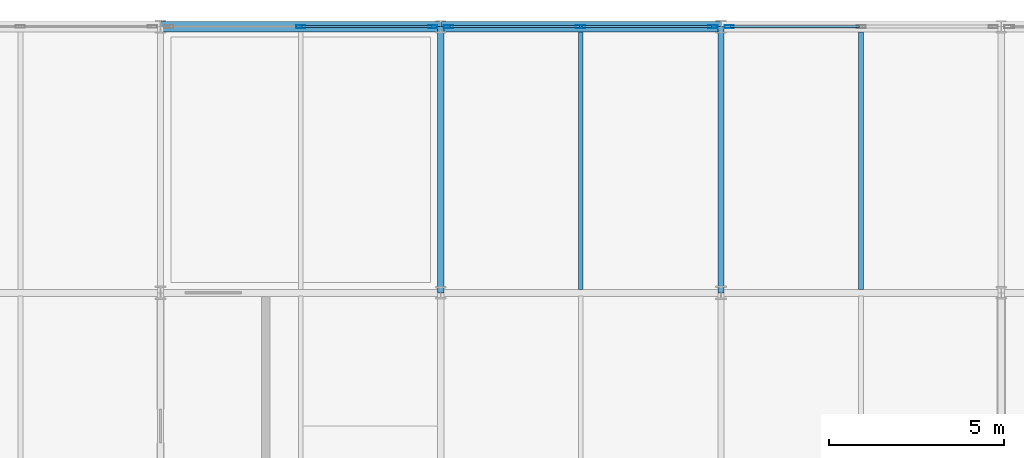
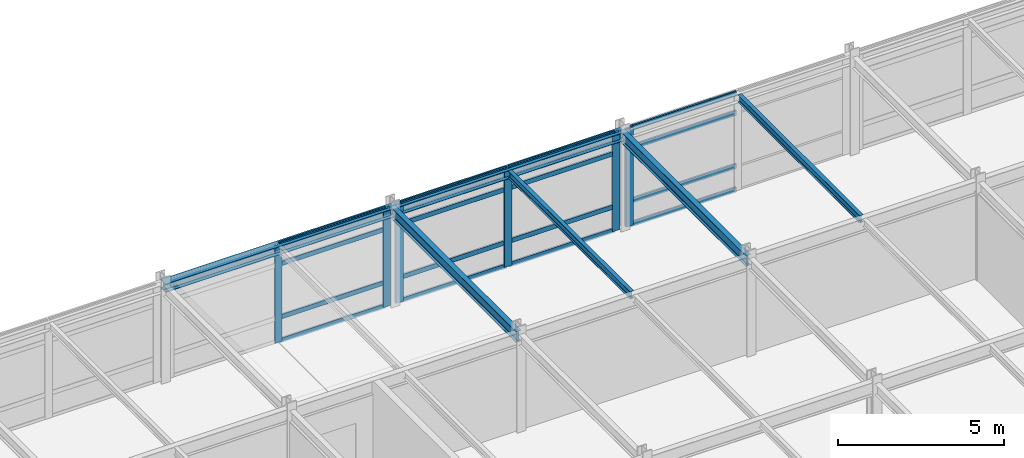
# One storey, part 7 of 15: 22 members, 6 beams, 3 elements without a shape of their own.
"""IFC4 building model written with IfcOpenShell, lengths in metres."""

import ifcopenshell
import ifcopenshell.guid

model = None  # the IFC model being written
_history = None  # IfcOwnerHistory: only IFC2X3 demands one
_inside = {}  # id of a spatial element -> (the spatial element, [elements in it])
_under = {}  # id of a project, library or spatial element -> (it, [spatial elements below it])
_declared = {}  # id of a project -> (the project, [libraries it declares])
_typed = {}  # id of a type object -> (the type object, [elements of that type])
_made_of = {}  # id of a material, layer set ... -> (it, [elements and type objects made of it])


def new_model(schema):
    """Start an empty IFC model of exactly this schema.

    Asked for "IFC4X3", IfcOpenShell would pick the latest addendum, in which some entities
    have other attributes; the version numbers below select the first issue.
    IFC2X3 requires an IfcOwnerHistory on every rooted entity: one is made here for all.
    """
    global model, _history
    if schema == "IFC4X3":
        model = ifcopenshell.file(schema_version=(4, 3, 0, 0))
    else:
        model = ifcopenshell.file(schema=schema)
    _inside.clear()
    _under.clear()
    _declared.clear()
    _typed.clear()
    _made_of.clear()
    _history = None
    if model.schema == "IFC2X3":
        org = make("IfcOrganization", Name="unknown")
        user = make(
            "IfcPersonAndOrganization",
            ThePerson=make("IfcPerson", FamilyName="unknown"),
            TheOrganization=org,
        )
        app = make(
            "IfcApplication",
            ApplicationDeveloper=org,
            Version="unknown",
            ApplicationFullName="unknown",
            ApplicationIdentifier="unknown",
        )
        _history = make(
            "IfcOwnerHistory",
            OwningUser=user,
            OwningApplication=app,
            ChangeAction="ADDED",
            CreationDate=0,
        )
    return model


def make(cls, **values):
    """One entity of the class cls with the attributes given. An attribute that is None is left unset."""
    return model.create_entity(
        cls, **{name: value for name, value in values.items() if value is not None}
    )


def rooted(cls, **values):
    """An entity with a GlobalId (a new one), such as an element, a storey or a relation."""
    return make(cls, GlobalId=ifcopenshell.guid.new(), OwnerHistory=_history, **values)


def si_unit(unit_type, name, prefix=None):
    """IfcSIUnit, for example si_unit("LENGTHUNIT", "METRE", prefix="MILLI")."""
    return make("IfcSIUnit", UnitType=unit_type, Prefix=prefix, Name=name)


def assignment(units):
    """IfcUnitAssignment: the units of a project."""
    return None if units is None else make("IfcUnitAssignment", Units=units)


def point(xyz):
    """IfcCartesianPoint."""
    return None if xyz is None else make("IfcCartesianPoint", Coordinates=xyz)


def direction(xyz):
    """IfcDirection."""
    return None if xyz is None else make("IfcDirection", DirectionRatios=xyz)


def frame(location, z_axis=None, x_axis=None):
    """IfcAxis2Placement3D, a coordinate frame: its origin and axes. An axis left out is left unset."""
    return make(
        "IfcAxis2Placement3D",
        Location=point(location),
        Axis=direction(z_axis),
        RefDirection=direction(x_axis),
    )


def frame_2d(location, x_axis=None):
    """IfcAxis2Placement2D, a coordinate frame in the plane: its origin and x axis."""
    return make(
        "IfcAxis2Placement2D", Location=point(location), RefDirection=direction(x_axis)
    )


def origin():
    """The frame at (0, 0, 0) with its axes left unset."""
    return frame((0.0, 0.0, 0.0))


def origin_2d():
    """The frame at (0, 0) in the plane with its x axis left unset."""
    return frame_2d((0.0, 0.0))


def place(relative_to, where):
    """IfcLocalPlacement: puts the frame where relative to a parent placement (None: the world)."""
    return make(
        "IfcLocalPlacement", PlacementRelTo=relative_to, RelativePlacement=where
    )


def context(
    kind, dimensions, precision=None, world=None, true_north=None, identifier=None
):
    """IfcGeometricRepresentationContext, for example the 3D "Model" context."""
    return make(
        "IfcGeometricRepresentationContext",
        ContextIdentifier=identifier,
        ContextType=kind,
        CoordinateSpaceDimension=dimensions,
        Precision=precision,
        WorldCoordinateSystem=world,
        TrueNorth=true_north,
    )


def subcontext(parent, identifier, kind, view, scale=None):
    """IfcGeometricRepresentationSubContext, for example "Body" below "Model"."""
    return make(
        "IfcGeometricRepresentationSubContext",
        ContextIdentifier=identifier,
        ContextType=kind,
        ParentContext=parent,
        TargetScale=scale,
        TargetView=view,
    )


def project(units=None, contexts=None):
    """IfcProject with its units and contexts."""
    return rooted(
        "IfcProject",
        Name="project",
        RepresentationContexts=contexts,
        UnitsInContext=assignment(units),
    )


def spatial(cls, under=None, at=None, **own):
    """A site, building, storey or space (cls), placed at a placement, below another one or the project."""
    s = rooted(cls, ObjectPlacement=at, **own)
    if under is not None:
        _under.setdefault(under.id(), (under, []))[1].append(s)
    return s


def profile(cls, at=None, kind="AREA", **sizes):
    """A parametric profile (cls). Its sizes go by their IFC names, for example OverallWidth=200.0."""
    return make(cls, ProfileType=kind, Position=at, **sizes)


def hollow_rectangle(**sizes):
    """IfcRectangleHollowProfileDef."""
    return profile("IfcRectangleHollowProfileDef", **sizes)


def i_section(**sizes):
    """IfcIShapeProfileDef."""
    return profile("IfcIShapeProfileDef", **sizes)


def extrude(swept, where, along, depth):
    """IfcExtrudedAreaSolid: the profile swept, set in the frame where, extruded along a direction by depth."""
    return make(
        "IfcExtrudedAreaSolid",
        SweptArea=swept,
        Position=where,
        ExtrudedDirection=direction(along),
        Depth=depth,
    )


def shape(context_of_items, identifier, shape_type, items):
    """IfcShapeRepresentation: the items that make up one representation, for example the "Body"."""
    return make(
        "IfcShapeRepresentation",
        ContextOfItems=context_of_items,
        RepresentationIdentifier=identifier,
        RepresentationType=shape_type,
        Items=items,
    )


def material(Name=None, Category=None):
    """IfcMaterial."""
    return make("IfcMaterial", Name=Name, Category=Category)


def layer(
    of_material, thickness, ventilated=None, Name=None, Category=None, Priority=None
):
    """IfcMaterialLayer: one layer of a wall or slab, of a material (None: an air gap)."""
    return make(
        "IfcMaterialLayer",
        Material=of_material,
        LayerThickness=thickness,
        IsVentilated=ventilated,
        Name=Name,
        Category=Category,
        Priority=Priority,
    )


def layer_set(layers, Name=None):
    """IfcMaterialLayerSet."""
    return make("IfcMaterialLayerSet", MaterialLayers=layers, LayerSetName=Name)


def material_profile(
    of_material, cross_section, Name=None, Category=None, Priority=None
):
    """IfcMaterialProfile: a cross section and its material."""
    return make(
        "IfcMaterialProfile",
        Name=Name,
        Material=of_material,
        Profile=cross_section,
        Priority=Priority,
        Category=Category,
    )


def profile_set(profiles, Name=None, composite=None):
    """IfcMaterialProfileSet."""
    return make(
        "IfcMaterialProfileSet",
        Name=Name,
        MaterialProfiles=profiles,
        CompositeProfile=composite,
    )


def made_of(thing, what):
    """Note that an element or type object is made of a material, layer set ...; save() writes the relation."""
    if what is not None:
        _made_of.setdefault(what.id(), (what, []))[1].append(thing)
    return thing


def type_object(cls, material=None, **own):
    """A type object (cls), such as IfcWallType, which elements share."""
    return made_of(rooted(cls, **own), material)


def element(
    cls,
    number,
    at=None,
    inside=None,
    cuts=None,
    type_object=None,
    material=None,
    context=None,
    identifier="Body",
    shape_type=None,
    held_by="IfcProductDefinitionShape",
    body=None,
    shapes=None,
    **own,
):
    """One element of the class cls, such as IfcWall. Its Tag is "e" and its number.

    at: its placement. inside: the storey or other place that contains it. cuts: it is an
    opening in that element (IfcRelVoidsElement). A single representation is given by context,
    identifier, shape_type and body (its items); several are given by shapes. held_by: the class
    of the entity that holds the representations. save() writes the other relations.
    """
    e = rooted(cls, Tag="e%d" % number, ObjectPlacement=at, **own)
    if body is not None:
        shapes = [shape(context, identifier, shape_type, body)]
    if shapes is not None:
        e.Representation = make(held_by, Representations=shapes)
    if inside is not None:
        _inside.setdefault(inside.id(), (inside, []))[1].append(e)
    if cuts is not None:
        rooted(
            "IfcRelVoidsElement", RelatingBuildingElement=cuts, RelatedOpeningElement=e
        )
    if type_object is not None:
        _typed.setdefault(type_object.id(), (type_object, []))[1].append(e)
    return made_of(e, material)


def aggregate(whole, parts):
    """IfcRelAggregates: a whole, such as a stair, and the parts it consists of."""
    return rooted("IfcRelAggregates", RelatingObject=whole, RelatedObjects=parts)


def save(model, path):
    """Write the relations noted so far, then the file.

    IfcRelAggregates (storeys below a building ...), IfcRelContainedInSpatialStructure (elements
    in a storey), IfcRelDefinesByType, IfcRelAssociatesMaterial and IfcRelDeclares: one each for
    every whole, place, type object, material and project.
    """
    for whole, parts in _under.values():
        aggregate(whole, parts)
    for where, things in _inside.values():
        rooted(
            "IfcRelContainedInSpatialStructure",
            RelatedElements=things,
            RelatingStructure=where,
        )
    for kind, things in _typed.values():
        rooted("IfcRelDefinesByType", RelatedObjects=things, RelatingType=kind)
    for what, things in _made_of.values():
        rooted("IfcRelAssociatesMaterial", RelatedObjects=things, RelatingMaterial=what)
    for by, libraries in _declared.values():
        rooted("IfcRelDeclares", RelatingContext=by, RelatedDefinitions=libraries)
    model.write(path)


model = new_model("IFC4")

# Units and contexts
model_context = context("Model", 3, precision=1e-05, world=origin(), true_north=direction((0.0, 1.0)))
body_context = subcontext(model_context, "Body", "Model", "MODEL_VIEW")
ifc_project = project(units=[si_unit("LENGTHUNIT", "METRE"), si_unit("AREAUNIT", "SQUARE_METRE"), si_unit("VOLUMEUNIT", "CUBIC_METRE"), si_unit("PLANEANGLEUNIT", "RADIAN"), si_unit("MASSUNIT", "GRAM", prefix="KILO")], contexts=[model_context])

# Site, building, storey
site_placement = place(None, origin())
site = spatial("IfcSite", under=ifc_project, at=site_placement, CompositionType="ELEMENT")
building_placement = place(site_placement, origin())
building = spatial("IfcBuilding", under=site, at=building_placement, Name="Shalkamar Park Central Library", CompositionType="ELEMENT")
storey_placement = place(building_placement, frame((0.0, 0.0, 47.699951171875)))
storey = spatial("IfcBuildingStorey", under=building, at=storey_placement, Name="L12", CompositionType="ELEMENT", Elevation=47.699951171875)

# Beams
ifc_material_1 = material(Name="Steel S355", Category="steel")
ifc_material_profile_1 = material_profile(ifc_material_1, i_section(OverallWidth=0.135009765625, OverallDepth=0.27001953125, WebThickness=0.006591796875, FlangeThickness=0.01025390625, FilletRadius=0.014892578125, at=origin_2d()), Name="IPE 270")
ifc_profile_set_1 = profile_set([ifc_material_profile_1], Name="Steel S355")
beam_type_1 = type_object("IfcBeamType", Name="Composite Floor Joist IPE270", PredefinedType="JOIST", material=ifc_profile_set_1)
for number, where, z_axis, x_axis, name in (
    (1, (193.0, 278.097900390625, 3.47509765625), (0.0, 1.0, 0.0), (-1.0, 0.0, 0.0), "Composite Joist 10/F-1 (L12)"),
    (2, (201.0, 278.097900390625, 3.47509765625), (0.0, 1.0, 0.0), (-1.0, 0.0, 0.0), "Composite Joist 11/F-1 (L12)"),
):
    element("IfcBeam", number, at=place(storey_placement, frame(where, z_axis=z_axis, x_axis=x_axis)), inside=storey, type_object=beam_type_1, Name=name, PredefinedType="JOIST", context=body_context, shape_type="SweptSolid", body=[
        extrude(i_section(OverallWidth=0.135009765625, OverallDepth=0.27001953125, WebThickness=0.006591796875, FlangeThickness=0.01025390625, FilletRadius=0.014892578125, at=origin_2d()), origin(), (0.0, 0.0, 1.0), 7.35400390625),
    ])

# Curtain wall, members
ifc_material_2 = material(Name="Thermally broken aluminium and triple low-e curtain wall", Category="aluminium")
ifc_layer_1 = layer(ifc_material_2, 0.2548828125)
ifc_layer_set_1 = layer_set([ifc_layer_1], Name="UnitisedCurtainWall_85")
curtain_wall_type_1 = type_object("IfcCurtainWallType", Name="Unitised Curtain Wall 85", PredefinedType="USERDEFINED", material=ifc_layer_set_1)
curtain_wall_1_placement = place(storey_placement, origin())
curtain_wall_1 = element("IfcCurtainWall", 3, at=curtain_wall_1_placement, inside=storey, type_object=curtain_wall_type_1, Name="Unitised Curtain Wall CW-L12-137", ObjectType="UNITISED CURTAIN WALL", PredefinedType="USERDEFINED")
ifc_material_3 = material(Name="Aluminium 6060-T66", Category="aluminium")
ifc_material_profile_2 = material_profile(ifc_material_3, hollow_rectangle(XDim=0.080078125, YDim=0.2548828125, WallThickness=0.00439453125, InnerFilletRadius=0.00439453125, OuterFilletRadius=0.0068359375, at=origin_2d()), Name="ALU 80x255x4.5")
ifc_profile_set_2 = profile_set([ifc_material_profile_2], Name="Aluminium 6060-T66")
member_type_1 = type_object("IfcMemberType", Name="Curtain Wall Mullion ALU80x255", PredefinedType="MULLION", material=ifc_profile_set_2)
member_1_placement = place(storey_placement, frame((185.00439453125, 285.60009765625, 0.0), z_axis=(0.0, 0.0, 1.0), x_axis=(0.0, 1.0, 0.0)))
member_1 = element("IfcMember", 4, at=member_1_placement, type_object=member_type_1, Name="CW-85 mullion 2", PredefinedType="MULLION", context=body_context, shape_type="SweptSolid", body=[
    extrude(hollow_rectangle(XDim=0.080078125, YDim=0.2548828125, WallThickness=0.00439453125, InnerFilletRadius=0.00439453125, OuterFilletRadius=0.0068359375, at=origin_2d()), origin(), (0.0, 0.0, 1.0), 3.610107421875),
])
member_2_placement = place(storey_placement, frame((188.776611328125, 285.60009765625, 0.0), z_axis=(0.0, 0.0, 1.0), x_axis=(0.0, 1.0, 0.0)))
member_2 = element("IfcMember", 5, at=member_2_placement, type_object=member_type_1, Name="CW-85 mullion 3", PredefinedType="MULLION", context=body_context, shape_type="SweptSolid", body=[
    extrude(hollow_rectangle(XDim=0.080078125, YDim=0.2548828125, WallThickness=0.00439453125, InnerFilletRadius=0.00439453125, OuterFilletRadius=0.0068359375, at=origin_2d()), origin(), (0.0, 0.0, 1.0), 3.610107421875),
])

ifc_layer_2 = layer(ifc_material_2, 0.27001953125)
ifc_layer_set_2 = layer_set([ifc_layer_2], Name="UnitisedCurtainWall_86")
curtain_wall_type_2 = type_object("IfcCurtainWallType", Name="Unitised Curtain Wall 86", PredefinedType="USERDEFINED", material=ifc_layer_set_2)
curtain_wall_2_placement = place(storey_placement, origin())
curtain_wall_2 = element("IfcCurtainWall", 6, at=curtain_wall_2_placement, inside=storey, type_object=curtain_wall_type_2, Name="Unitised Curtain Wall CW-L12-138", ObjectType="UNITISED CURTAIN WALL", PredefinedType="USERDEFINED")
ifc_material_profile_3 = material_profile(ifc_material_3, hollow_rectangle(XDim=0.080078125, YDim=0.27001953125, WallThickness=0.0048828125, InnerFilletRadius=0.0048828125, OuterFilletRadius=0.007568359375, at=origin_2d()), Name="ALU 80x270x5")
ifc_profile_set_3 = profile_set([ifc_material_profile_3], Name="Aluminium 6060-T66")
member_type_2 = type_object("IfcMemberType", Name="Curtain Wall Mullion ALU80x270", PredefinedType="MULLION", material=ifc_profile_set_3)
member_3_placement = place(storey_placement, frame((189.223388671875, 285.60009765625, 0.0), z_axis=(0.0, 0.0, 1.0), x_axis=(0.0, 1.0, 0.0)))
member_3 = element("IfcMember", 7, at=member_3_placement, type_object=member_type_2, Name="CW-86 mullion 1", PredefinedType="MULLION", context=body_context, shape_type="SweptSolid", body=[
    extrude(hollow_rectangle(XDim=0.080078125, YDim=0.27001953125, WallThickness=0.0048828125, InnerFilletRadius=0.0048828125, OuterFilletRadius=0.007568359375, at=origin_2d()), origin(), (0.0, 0.0, 1.0), 3.610107421875),
])
member_4_placement = place(storey_placement, frame((192.99560546875, 285.60009765625, 0.0), z_axis=(0.0, 0.0, 1.0), x_axis=(0.0, 1.0, 0.0)))
member_4 = element("IfcMember", 8, at=member_4_placement, type_object=member_type_2, Name="CW-86 mullion 2", PredefinedType="MULLION", context=body_context, shape_type="SweptSolid", body=[
    extrude(hollow_rectangle(XDim=0.080078125, YDim=0.27001953125, WallThickness=0.0048828125, InnerFilletRadius=0.0048828125, OuterFilletRadius=0.007568359375, at=origin_2d()), origin(), (0.0, 0.0, 1.0), 3.610107421875),
])
member_5_placement = place(storey_placement, frame((196.767578125, 285.60009765625, 0.0), z_axis=(0.0, 0.0, 1.0), x_axis=(0.0, 1.0, 0.0)))
member_5 = element("IfcMember", 9, at=member_5_placement, type_object=member_type_2, Name="CW-86 mullion 3", PredefinedType="MULLION", context=body_context, shape_type="SweptSolid", body=[
    extrude(hollow_rectangle(XDim=0.080078125, YDim=0.27001953125, WallThickness=0.0048828125, InnerFilletRadius=0.0048828125, OuterFilletRadius=0.007568359375, at=origin_2d()), origin(), (0.0, 0.0, 1.0), 3.610107421875),
])

# Curtain wall, member
ifc_layer_3 = layer(ifc_material_2, 0.264892578125)
ifc_layer_set_3 = layer_set([ifc_layer_3], Name="UnitisedCurtainWall_87")
curtain_wall_type_3 = type_object("IfcCurtainWallType", Name="Unitised Curtain Wall 87", PredefinedType="USERDEFINED", material=ifc_layer_set_3)
curtain_wall_3_placement = place(storey_placement, origin())
curtain_wall_3 = element("IfcCurtainWall", 10, at=curtain_wall_3_placement, inside=storey, type_object=curtain_wall_type_3, Name="Unitised Curtain Wall CW-L12-139", ObjectType="UNITISED CURTAIN WALL", PredefinedType="USERDEFINED")
ifc_material_profile_4 = material_profile(ifc_material_3, hollow_rectangle(XDim=0.0849609375, YDim=0.264892578125, WallThickness=0.0048828125, InnerFilletRadius=0.0048828125, OuterFilletRadius=0.007568359375, at=origin_2d()), Name="ALU 85x265x5")
ifc_profile_set_4 = profile_set([ifc_material_profile_4], Name="Aluminium 6060-T66")
member_type_3 = type_object("IfcMemberType", Name="Curtain Wall Mullion ALU85x265", PredefinedType="MULLION", material=ifc_profile_set_4)
member_6_placement = place(storey_placement, frame((197.235107421875, 285.60009765625, 0.0), z_axis=(0.0, 0.0, 1.0), x_axis=(0.0, 1.0, 0.0)))
member_6 = element("IfcMember", 11, at=member_6_placement, type_object=member_type_3, Name="CW-87 mullion 1", PredefinedType="MULLION", context=body_context, shape_type="SweptSolid", body=[
    extrude(hollow_rectangle(XDim=0.0849609375, YDim=0.264892578125, WallThickness=0.0048828125, InnerFilletRadius=0.0048828125, OuterFilletRadius=0.007568359375, at=origin_2d()), origin(), (0.0, 0.0, 1.0), 3.610107421875),
])

# Member
ifc_material_profile_5 = material_profile(ifc_material_3, hollow_rectangle(XDim=0.06494140625, YDim=0.169921875, WallThickness=0.00390625, InnerFilletRadius=0.00390625, OuterFilletRadius=0.006103515625, at=origin_2d()), Name="ALU 65x170x4")
ifc_profile_set_5 = profile_set([ifc_material_profile_5], Name="Aluminium 6060-T66")
member_type_4 = type_object("IfcMemberType", Name="Curtain Wall Transom ALU65x170", PredefinedType="USERDEFINED", material=ifc_profile_set_5)
member_7_placement = place(storey_placement, frame((185.04443359375, 285.60009765625, 0.032470703125), z_axis=(1.0, 0.0, 0.0), x_axis=(0.0, 1.0, 0.0)))
member_7 = element("IfcMember", 12, at=member_7_placement, type_object=member_type_4, Name="CW-85 transom 2.1", ObjectType="TRANSOM", PredefinedType="USERDEFINED", context=body_context, shape_type="SweptSolid", body=[
    extrude(hollow_rectangle(XDim=0.06494140625, YDim=0.169921875, WallThickness=0.00390625, InnerFilletRadius=0.00390625, OuterFilletRadius=0.006103515625, at=origin_2d()), origin(), (0.0, 0.0, 1.0), 3.692138671875),
])

member_8_placement = place(storey_placement, frame((185.04443359375, 285.60009765625, 0.900146484375), z_axis=(1.0, 0.0, 0.0), x_axis=(0.0, 1.0, 0.0)))
member_8 = element("IfcMember", 13, at=member_8_placement, type_object=member_type_4, Name="CW-85 transom 2.2", ObjectType="TRANSOM", PredefinedType="USERDEFINED", context=body_context, shape_type="SweptSolid", body=[
    extrude(hollow_rectangle(XDim=0.06494140625, YDim=0.169921875, WallThickness=0.00390625, InnerFilletRadius=0.00390625, OuterFilletRadius=0.006103515625, at=origin_2d()), origin(), (0.0, 0.0, 1.0), 3.692138671875),
])

member_9_placement = place(storey_placement, frame((185.04443359375, 285.60009765625, 2.860107421875), z_axis=(1.0, 0.0, 0.0), x_axis=(0.0, 1.0, 0.0)))
member_9 = element("IfcMember", 14, at=member_9_placement, type_object=member_type_4, Name="CW-85 transom 2.3", ObjectType="TRANSOM", PredefinedType="USERDEFINED", context=body_context, shape_type="SweptSolid", body=[
    extrude(hollow_rectangle(XDim=0.06494140625, YDim=0.169921875, WallThickness=0.00390625, InnerFilletRadius=0.00390625, OuterFilletRadius=0.006103515625, at=origin_2d()), origin(), (0.0, 0.0, 1.0), 3.692138671875),
])

member_10_placement = place(storey_placement, frame((185.04443359375, 285.60009765625, 3.57763671875), z_axis=(1.0, 0.0, 0.0), x_axis=(0.0, 1.0, 0.0)))
member_10 = element("IfcMember", 15, at=member_10_placement, type_object=member_type_4, Name="CW-85 transom 2.4", ObjectType="TRANSOM", PredefinedType="USERDEFINED", context=body_context, shape_type="SweptSolid", body=[
    extrude(hollow_rectangle(XDim=0.06494140625, YDim=0.169921875, WallThickness=0.00390625, InnerFilletRadius=0.00390625, OuterFilletRadius=0.006103515625, at=origin_2d()), origin(), (0.0, 0.0, 1.0), 3.692138671875),
])

aggregate(curtain_wall_1, [member_1, member_2, member_7, member_8, member_9, member_10])

ifc_material_profile_6 = material_profile(ifc_material_3, hollow_rectangle(XDim=0.06494140625, YDim=0.175048828125, WallThickness=0.00439453125, InnerFilletRadius=0.00439453125, OuterFilletRadius=0.0068359375, at=origin_2d()), Name="ALU 65x175x4.5")
ifc_profile_set_6 = profile_set([ifc_material_profile_6], Name="Aluminium 6060-T66")
member_type_5 = type_object("IfcMemberType", Name="Curtain Wall Transom ALU65x175", PredefinedType="USERDEFINED", material=ifc_profile_set_6)
member_11_placement = place(storey_placement, frame((189.263427734375, 285.60009765625, 0.032470703125), z_axis=(1.0, 0.0, 0.0), x_axis=(0.0, 1.0, 0.0)))
member_11 = element("IfcMember", 16, at=member_11_placement, type_object=member_type_5, Name="CW-86 transom 1.1", ObjectType="TRANSOM", PredefinedType="USERDEFINED", context=body_context, shape_type="SweptSolid", body=[
    extrude(hollow_rectangle(XDim=0.06494140625, YDim=0.175048828125, WallThickness=0.00439453125, InnerFilletRadius=0.00439453125, OuterFilletRadius=0.0068359375, at=origin_2d()), origin(), (0.0, 0.0, 1.0), 3.692138671875),
])

member_12_placement = place(storey_placement, frame((189.263427734375, 285.60009765625, 0.900146484375), z_axis=(1.0, 0.0, 0.0), x_axis=(0.0, 1.0, 0.0)))
member_12 = element("IfcMember", 17, at=member_12_placement, type_object=member_type_5, Name="CW-86 transom 1.2", ObjectType="TRANSOM", PredefinedType="USERDEFINED", context=body_context, shape_type="SweptSolid", body=[
    extrude(hollow_rectangle(XDim=0.06494140625, YDim=0.175048828125, WallThickness=0.00439453125, InnerFilletRadius=0.00439453125, OuterFilletRadius=0.0068359375, at=origin_2d()), origin(), (0.0, 0.0, 1.0), 3.692138671875),
])

member_13_placement = place(storey_placement, frame((189.263427734375, 285.60009765625, 2.860107421875), z_axis=(1.0, 0.0, 0.0), x_axis=(0.0, 1.0, 0.0)))
member_13 = element("IfcMember", 18, at=member_13_placement, type_object=member_type_5, Name="CW-86 transom 1.3", ObjectType="TRANSOM", PredefinedType="USERDEFINED", context=body_context, shape_type="SweptSolid", body=[
    extrude(hollow_rectangle(XDim=0.06494140625, YDim=0.175048828125, WallThickness=0.00439453125, InnerFilletRadius=0.00439453125, OuterFilletRadius=0.0068359375, at=origin_2d()), origin(), (0.0, 0.0, 1.0), 3.692138671875),
])

member_14_placement = place(storey_placement, frame((189.263427734375, 285.60009765625, 3.57763671875), z_axis=(1.0, 0.0, 0.0), x_axis=(0.0, 1.0, 0.0)))
member_14 = element("IfcMember", 19, at=member_14_placement, type_object=member_type_5, Name="CW-86 transom 1.4", ObjectType="TRANSOM", PredefinedType="USERDEFINED", context=body_context, shape_type="SweptSolid", body=[
    extrude(hollow_rectangle(XDim=0.06494140625, YDim=0.175048828125, WallThickness=0.00439453125, InnerFilletRadius=0.00439453125, OuterFilletRadius=0.0068359375, at=origin_2d()), origin(), (0.0, 0.0, 1.0), 3.692138671875),
])

member_15_placement = place(storey_placement, frame((193.035400390625, 285.60009765625, 0.032470703125), z_axis=(1.0, 0.0, 0.0), x_axis=(0.0, 1.0, 0.0)))
member_15 = element("IfcMember", 20, at=member_15_placement, type_object=member_type_5, Name="CW-86 transom 2.1", ObjectType="TRANSOM", PredefinedType="USERDEFINED", context=body_context, shape_type="SweptSolid", body=[
    extrude(hollow_rectangle(XDim=0.06494140625, YDim=0.175048828125, WallThickness=0.00439453125, InnerFilletRadius=0.00439453125, OuterFilletRadius=0.0068359375, at=origin_2d()), origin(), (0.0, 0.0, 1.0), 3.692138671875),
])

member_16_placement = place(storey_placement, frame((193.035400390625, 285.60009765625, 0.900146484375), z_axis=(1.0, 0.0, 0.0), x_axis=(0.0, 1.0, 0.0)))
member_16 = element("IfcMember", 21, at=member_16_placement, type_object=member_type_5, Name="CW-86 transom 2.2", ObjectType="TRANSOM", PredefinedType="USERDEFINED", context=body_context, shape_type="SweptSolid", body=[
    extrude(hollow_rectangle(XDim=0.06494140625, YDim=0.175048828125, WallThickness=0.00439453125, InnerFilletRadius=0.00439453125, OuterFilletRadius=0.0068359375, at=origin_2d()), origin(), (0.0, 0.0, 1.0), 3.692138671875),
])

member_17_placement = place(storey_placement, frame((193.035400390625, 285.60009765625, 2.860107421875), z_axis=(1.0, 0.0, 0.0), x_axis=(0.0, 1.0, 0.0)))
member_17 = element("IfcMember", 22, at=member_17_placement, type_object=member_type_5, Name="CW-86 transom 2.3", ObjectType="TRANSOM", PredefinedType="USERDEFINED", context=body_context, shape_type="SweptSolid", body=[
    extrude(hollow_rectangle(XDim=0.06494140625, YDim=0.175048828125, WallThickness=0.00439453125, InnerFilletRadius=0.00439453125, OuterFilletRadius=0.0068359375, at=origin_2d()), origin(), (0.0, 0.0, 1.0), 3.692138671875),
])

member_18_placement = place(storey_placement, frame((193.035400390625, 285.60009765625, 3.57763671875), z_axis=(1.0, 0.0, 0.0), x_axis=(0.0, 1.0, 0.0)))
member_18 = element("IfcMember", 23, at=member_18_placement, type_object=member_type_5, Name="CW-86 transom 2.4", ObjectType="TRANSOM", PredefinedType="USERDEFINED", context=body_context, shape_type="SweptSolid", body=[
    extrude(hollow_rectangle(XDim=0.06494140625, YDim=0.175048828125, WallThickness=0.00439453125, InnerFilletRadius=0.00439453125, OuterFilletRadius=0.0068359375, at=origin_2d()), origin(), (0.0, 0.0, 1.0), 3.692138671875),
])

aggregate(curtain_wall_2, [member_3, member_4, member_5, member_11, member_12, member_13, member_14, member_15, member_16, member_17, member_18])

ifc_material_profile_7 = material_profile(ifc_material_3, hollow_rectangle(XDim=0.070068359375, YDim=0.179931640625, WallThickness=0.00439453125, InnerFilletRadius=0.00439453125, OuterFilletRadius=0.0068359375, at=origin_2d()), Name="ALU 70x180x4.5")
ifc_profile_set_7 = profile_set([ifc_material_profile_7], Name="Aluminium 6060-T66")
member_type_6 = type_object("IfcMemberType", Name="Curtain Wall Transom ALU70x180", PredefinedType="USERDEFINED", material=ifc_profile_set_7)
member_19_placement = place(storey_placement, frame((197.277587890625, 285.60009765625, 0.03515625), z_axis=(1.0, 0.0, 0.0), x_axis=(0.0, 1.0, 0.0)))
member_19 = element("IfcMember", 24, at=member_19_placement, type_object=member_type_6, Name="CW-87 transom 1.1", ObjectType="TRANSOM", PredefinedType="USERDEFINED", context=body_context, shape_type="SweptSolid", body=[
    extrude(hollow_rectangle(XDim=0.070068359375, YDim=0.179931640625, WallThickness=0.00439453125, InnerFilletRadius=0.00439453125, OuterFilletRadius=0.0068359375, at=origin_2d()), origin(), (0.0, 0.0, 1.0), 3.684326171875),
])

member_20_placement = place(storey_placement, frame((197.277587890625, 285.60009765625, 0.900146484375), z_axis=(1.0, 0.0, 0.0), x_axis=(0.0, 1.0, 0.0)))
member_20 = element("IfcMember", 25, at=member_20_placement, type_object=member_type_6, Name="CW-87 transom 1.2", ObjectType="TRANSOM", PredefinedType="USERDEFINED", context=body_context, shape_type="SweptSolid", body=[
    extrude(hollow_rectangle(XDim=0.070068359375, YDim=0.179931640625, WallThickness=0.00439453125, InnerFilletRadius=0.00439453125, OuterFilletRadius=0.0068359375, at=origin_2d()), origin(), (0.0, 0.0, 1.0), 3.684326171875),
])

member_21_placement = place(storey_placement, frame((197.277587890625, 285.60009765625, 2.860107421875), z_axis=(1.0, 0.0, 0.0), x_axis=(0.0, 1.0, 0.0)))
member_21 = element("IfcMember", 26, at=member_21_placement, type_object=member_type_6, Name="CW-87 transom 1.3", ObjectType="TRANSOM", PredefinedType="USERDEFINED", context=body_context, shape_type="SweptSolid", body=[
    extrude(hollow_rectangle(XDim=0.070068359375, YDim=0.179931640625, WallThickness=0.00439453125, InnerFilletRadius=0.00439453125, OuterFilletRadius=0.0068359375, at=origin_2d()), origin(), (0.0, 0.0, 1.0), 3.684326171875),
])

member_22_placement = place(storey_placement, frame((197.277587890625, 285.60009765625, 3.574951171875), z_axis=(1.0, 0.0, 0.0), x_axis=(0.0, 1.0, 0.0)))
member_22 = element("IfcMember", 27, at=member_22_placement, type_object=member_type_6, Name="CW-87 transom 1.4", ObjectType="TRANSOM", PredefinedType="USERDEFINED", context=body_context, shape_type="SweptSolid", body=[
    extrude(hollow_rectangle(XDim=0.070068359375, YDim=0.179931640625, WallThickness=0.00439453125, InnerFilletRadius=0.00439453125, OuterFilletRadius=0.0068359375, at=origin_2d()), origin(), (0.0, 0.0, 1.0), 3.684326171875),
])

aggregate(curtain_wall_3, [member_6, member_19, member_20, member_21, member_22])

# Beams
ifc_material_profile_8 = material_profile(ifc_material_1, i_section(OverallWidth=0.300048828125, OverallDepth=0.31005859375, WebThickness=0.009033203125, FlangeThickness=0.015380859375, FilletRadius=0.027099609375, at=origin_2d()), Name="HEA 320")
ifc_profile_set_8 = profile_set([ifc_material_profile_8], Name="Steel S355")
beam_type_2 = type_object("IfcBeamType", Name="Perimeter Spandrel Beam HEA320", PredefinedType="SPANDREL", material=ifc_profile_set_8)
for number, where, z_axis, x_axis, name in (
    (28, (181.0, 285.60009765625, 3.455078125), (1.0, 0.0, 0.0), (0.0, 1.0, 0.0), "Beam G:09-10 (L12)"),
    (29, (189.0, 285.60009765625, 3.455078125), (1.0, 0.0, 0.0), (0.0, 1.0, 0.0), "Beam G:10-11 (L12)"),
):
    element("IfcBeam", number, at=place(storey_placement, frame(where, z_axis=z_axis, x_axis=x_axis)), inside=storey, type_object=beam_type_2, Name=name, PredefinedType="SPANDREL", context=body_context, shape_type="SweptSolid", body=[
        extrude(i_section(OverallWidth=0.300048828125, OverallDepth=0.31005859375, WebThickness=0.009033203125, FlangeThickness=0.015380859375, FilletRadius=0.027099609375, at=origin_2d()), origin(), (0.0, 0.0, 1.0), 8.0),
    ])
ifc_material_profile_9 = material_profile(ifc_material_1, i_section(OverallWidth=0.179931640625, OverallDepth=0.39990234375, WebThickness=0.008544921875, FlangeThickness=0.013427734375, FilletRadius=0.02099609375, at=origin_2d()), Name="IPE 400")
ifc_profile_set_9 = profile_set([ifc_material_profile_9], Name="Steel S355")
beam_type_3 = type_object("IfcBeamType", Name="Primary Girder IPE400", PredefinedType="BEAM", material=ifc_profile_set_9)
for number, where, z_axis, x_axis, name in (
    (30, (189.0, 278.0, 3.41015625), (0.0, 1.0, 0.0), (-1.0, 0.0, 0.0), "Beam 10:F-G (L12)"),
    (31, (197.0, 278.0, 3.41015625), (0.0, 1.0, 0.0), (-1.0, 0.0, 0.0), "Beam 11:F-G (L12)"),
):
    element("IfcBeam", number, at=place(storey_placement, frame(where, z_axis=z_axis, x_axis=x_axis)), inside=storey, type_object=beam_type_3, Name=name, PredefinedType="BEAM", context=body_context, shape_type="SweptSolid", body=[
        extrude(i_section(OverallWidth=0.179931640625, OverallDepth=0.39990234375, WebThickness=0.008544921875, FlangeThickness=0.013427734375, FilletRadius=0.02099609375, at=origin_2d()), origin(), (0.0, 0.0, 1.0), 7.60009765625),
    ])

save(model, "model.ifc")
